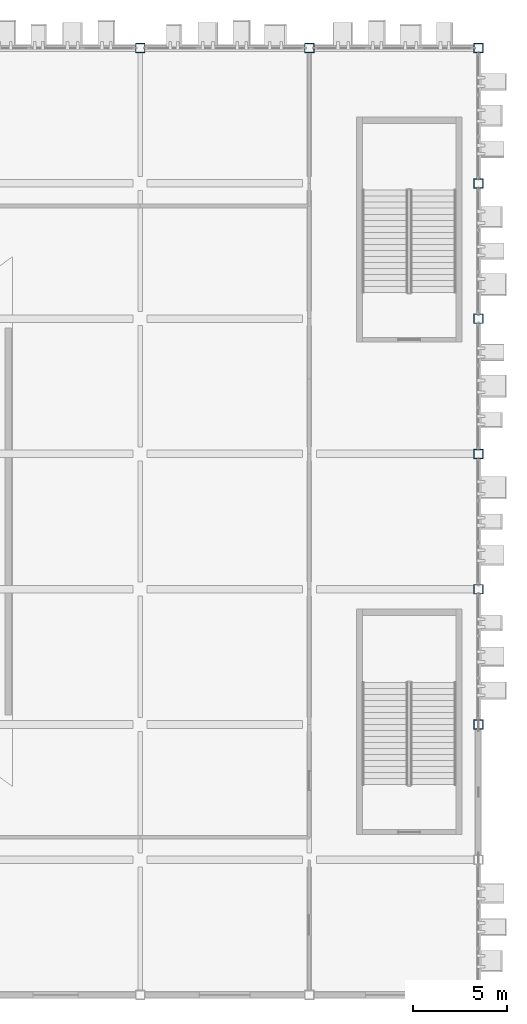
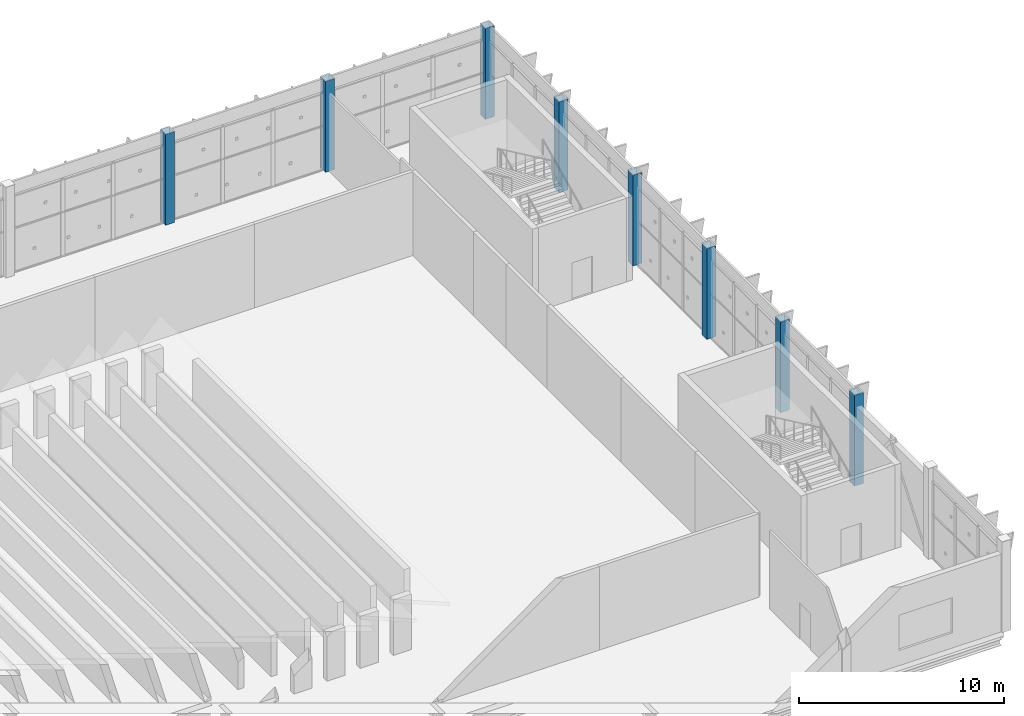
# One storey, part 15 of 189: 8 columns.
"""IFC4 building model written with IfcOpenShell, lengths in metres."""

import ifcopenshell
import ifcopenshell.guid

model = None  # the IFC model being written
_history = None  # IfcOwnerHistory: only IFC2X3 demands one
_inside = {}  # id of a spatial element -> (the spatial element, [elements in it])
_under = {}  # id of a project, library or spatial element -> (it, [spatial elements below it])
_declared = {}  # id of a project -> (the project, [libraries it declares])
_typed = {}  # id of a type object -> (the type object, [elements of that type])
_made_of = {}  # id of a material, layer set ... -> (it, [elements and type objects made of it])


def new_model(schema):
    """Start an empty IFC model of exactly this schema.

    Asked for "IFC4X3", IfcOpenShell would pick the latest addendum, in which some entities
    have other attributes; the version numbers below select the first issue.
    IFC2X3 requires an IfcOwnerHistory on every rooted entity: one is made here for all.
    """
    global model, _history
    if schema == "IFC4X3":
        model = ifcopenshell.file(schema_version=(4, 3, 0, 0))
    else:
        model = ifcopenshell.file(schema=schema)
    _inside.clear()
    _under.clear()
    _declared.clear()
    _typed.clear()
    _made_of.clear()
    _history = None
    if model.schema == "IFC2X3":
        org = make("IfcOrganization", Name="unknown")
        user = make(
            "IfcPersonAndOrganization",
            ThePerson=make("IfcPerson", FamilyName="unknown"),
            TheOrganization=org,
        )
        app = make(
            "IfcApplication",
            ApplicationDeveloper=org,
            Version="unknown",
            ApplicationFullName="unknown",
            ApplicationIdentifier="unknown",
        )
        _history = make(
            "IfcOwnerHistory",
            OwningUser=user,
            OwningApplication=app,
            ChangeAction="ADDED",
            CreationDate=0,
        )
    return model


def make(cls, **values):
    """One entity of the class cls with the attributes given. An attribute that is None is left unset."""
    return model.create_entity(
        cls, **{name: value for name, value in values.items() if value is not None}
    )


def rooted(cls, **values):
    """An entity with a GlobalId (a new one), such as an element, a storey or a relation."""
    return make(cls, GlobalId=ifcopenshell.guid.new(), OwnerHistory=_history, **values)


def si_unit(unit_type, name, prefix=None):
    """IfcSIUnit, for example si_unit("LENGTHUNIT", "METRE", prefix="MILLI")."""
    return make("IfcSIUnit", UnitType=unit_type, Prefix=prefix, Name=name)


def assignment(units):
    """IfcUnitAssignment: the units of a project."""
    return None if units is None else make("IfcUnitAssignment", Units=units)


def point(xyz):
    """IfcCartesianPoint."""
    return None if xyz is None else make("IfcCartesianPoint", Coordinates=xyz)


def direction(xyz):
    """IfcDirection."""
    return None if xyz is None else make("IfcDirection", DirectionRatios=xyz)


def frame(location, z_axis=None, x_axis=None):
    """IfcAxis2Placement3D, a coordinate frame: its origin and axes. An axis left out is left unset."""
    return make(
        "IfcAxis2Placement3D",
        Location=point(location),
        Axis=direction(z_axis),
        RefDirection=direction(x_axis),
    )


def frame_2d(location, x_axis=None):
    """IfcAxis2Placement2D, a coordinate frame in the plane: its origin and x axis."""
    return make(
        "IfcAxis2Placement2D", Location=point(location), RefDirection=direction(x_axis)
    )


def origin():
    """The frame at (0, 0, 0) with its axes left unset."""
    return frame((0.0, 0.0, 0.0))


def origin_2d():
    """The frame at (0, 0) in the plane with its x axis left unset."""
    return frame_2d((0.0, 0.0))


def place(relative_to, where):
    """IfcLocalPlacement: puts the frame where relative to a parent placement (None: the world)."""
    return make(
        "IfcLocalPlacement", PlacementRelTo=relative_to, RelativePlacement=where
    )


def context(
    kind, dimensions, precision=None, world=None, true_north=None, identifier=None
):
    """IfcGeometricRepresentationContext, for example the 3D "Model" context."""
    return make(
        "IfcGeometricRepresentationContext",
        ContextIdentifier=identifier,
        ContextType=kind,
        CoordinateSpaceDimension=dimensions,
        Precision=precision,
        WorldCoordinateSystem=world,
        TrueNorth=true_north,
    )


def subcontext(parent, identifier, kind, view, scale=None):
    """IfcGeometricRepresentationSubContext, for example "Body" below "Model"."""
    return make(
        "IfcGeometricRepresentationSubContext",
        ContextIdentifier=identifier,
        ContextType=kind,
        ParentContext=parent,
        TargetScale=scale,
        TargetView=view,
    )


def project(units=None, contexts=None):
    """IfcProject with its units and contexts."""
    return rooted(
        "IfcProject",
        Name="project",
        RepresentationContexts=contexts,
        UnitsInContext=assignment(units),
    )


def spatial(cls, under=None, at=None, **own):
    """A site, building, storey or space (cls), placed at a placement, below another one or the project."""
    s = rooted(cls, ObjectPlacement=at, **own)
    if under is not None:
        _under.setdefault(under.id(), (under, []))[1].append(s)
    return s


def profile(cls, at=None, kind="AREA", **sizes):
    """A parametric profile (cls). Its sizes go by their IFC names, for example OverallWidth=200.0."""
    return make(cls, ProfileType=kind, Position=at, **sizes)


def hollow_rectangle(**sizes):
    """IfcRectangleHollowProfileDef."""
    return profile("IfcRectangleHollowProfileDef", **sizes)


def extrude(swept, where, along, depth):
    """IfcExtrudedAreaSolid: the profile swept, set in the frame where, extruded along a direction by depth."""
    return make(
        "IfcExtrudedAreaSolid",
        SweptArea=swept,
        Position=where,
        ExtrudedDirection=direction(along),
        Depth=depth,
    )


def shape(context_of_items, identifier, shape_type, items):
    """IfcShapeRepresentation: the items that make up one representation, for example the "Body"."""
    return make(
        "IfcShapeRepresentation",
        ContextOfItems=context_of_items,
        RepresentationIdentifier=identifier,
        RepresentationType=shape_type,
        Items=items,
    )


def material(Name=None, Category=None):
    """IfcMaterial."""
    return make("IfcMaterial", Name=Name, Category=Category)


def material_profile(
    of_material, cross_section, Name=None, Category=None, Priority=None
):
    """IfcMaterialProfile: a cross section and its material."""
    return make(
        "IfcMaterialProfile",
        Name=Name,
        Material=of_material,
        Profile=cross_section,
        Priority=Priority,
        Category=Category,
    )


def profile_set(profiles, Name=None, composite=None):
    """IfcMaterialProfileSet."""
    return make(
        "IfcMaterialProfileSet",
        Name=Name,
        MaterialProfiles=profiles,
        CompositeProfile=composite,
    )


def made_of(thing, what):
    """Note that an element or type object is made of a material, layer set ...; save() writes the relation."""
    if what is not None:
        _made_of.setdefault(what.id(), (what, []))[1].append(thing)
    return thing


def type_object(cls, material=None, **own):
    """A type object (cls), such as IfcWallType, which elements share."""
    return made_of(rooted(cls, **own), material)


def element(
    cls,
    number,
    at=None,
    inside=None,
    cuts=None,
    type_object=None,
    material=None,
    context=None,
    identifier="Body",
    shape_type=None,
    held_by="IfcProductDefinitionShape",
    body=None,
    shapes=None,
    **own,
):
    """One element of the class cls, such as IfcWall. Its Tag is "e" and its number.

    at: its placement. inside: the storey or other place that contains it. cuts: it is an
    opening in that element (IfcRelVoidsElement). A single representation is given by context,
    identifier, shape_type and body (its items); several are given by shapes. held_by: the class
    of the entity that holds the representations. save() writes the other relations.
    """
    e = rooted(cls, Tag="e%d" % number, ObjectPlacement=at, **own)
    if body is not None:
        shapes = [shape(context, identifier, shape_type, body)]
    if shapes is not None:
        e.Representation = make(held_by, Representations=shapes)
    if inside is not None:
        _inside.setdefault(inside.id(), (inside, []))[1].append(e)
    if cuts is not None:
        rooted(
            "IfcRelVoidsElement", RelatingBuildingElement=cuts, RelatedOpeningElement=e
        )
    if type_object is not None:
        _typed.setdefault(type_object.id(), (type_object, []))[1].append(e)
    return made_of(e, material)


def aggregate(whole, parts):
    """IfcRelAggregates: a whole, such as a stair, and the parts it consists of."""
    return rooted("IfcRelAggregates", RelatingObject=whole, RelatedObjects=parts)


def save(model, path):
    """Write the relations noted so far, then the file.

    IfcRelAggregates (storeys below a building ...), IfcRelContainedInSpatialStructure (elements
    in a storey), IfcRelDefinesByType, IfcRelAssociatesMaterial and IfcRelDeclares: one each for
    every whole, place, type object, material and project.
    """
    for whole, parts in _under.values():
        aggregate(whole, parts)
    for where, things in _inside.values():
        rooted(
            "IfcRelContainedInSpatialStructure",
            RelatedElements=things,
            RelatingStructure=where,
        )
    for kind, things in _typed.values():
        rooted("IfcRelDefinesByType", RelatedObjects=things, RelatingType=kind)
    for what, things in _made_of.values():
        rooted("IfcRelAssociatesMaterial", RelatedObjects=things, RelatingMaterial=what)
    for by, libraries in _declared.values():
        rooted("IfcRelDeclares", RelatingContext=by, RelatedDefinitions=libraries)
    model.write(path)


model = new_model("IFC4")

# Units and contexts
model_context = context("Model", 3, precision=1e-05, world=origin(), true_north=direction((0.0, 1.0)))
body_context = subcontext(model_context, "Body", "Model", "MODEL_VIEW")
ifc_project = project(units=[si_unit("LENGTHUNIT", "METRE"), si_unit("AREAUNIT", "SQUARE_METRE"), si_unit("VOLUMEUNIT", "CUBIC_METRE"), si_unit("PLANEANGLEUNIT", "RADIAN"), si_unit("MASSUNIT", "GRAM", prefix="KILO")], contexts=[model_context])

# Site, building, storey
site_placement = place(None, origin())
site = spatial("IfcSite", under=ifc_project, at=site_placement, CompositionType="ELEMENT")
building_placement = place(site_placement, origin())
building = spatial("IfcBuilding", under=site, at=building_placement, Name="Celestram Park Convention Centre", CompositionType="ELEMENT")
storey_placement = place(building_placement, frame((0.0, 0.0, 5.39990234375)))
storey = spatial("IfcBuildingStorey", under=building, at=storey_placement, Name="L01", CompositionType="ELEMENT", Elevation=5.39990234375)

# Columns
ifc_material = material(Name="Steel ASTM A500 Grade C", Category="steel")
ifc_material_profile = material_profile(ifc_material, hollow_rectangle(XDim=0.5, YDim=0.5, WallThickness=0.02001953125, at=origin_2d()), Name="HSS500X500X20")
ifc_profile_set = profile_set([ifc_material_profile], Name="Steel ASTM A500 Grade C")
column_type = type_object("IfcColumnType", Name="STR-COL-HSS500", PredefinedType="COLUMN", material=ifc_profile_set)
for number, where, z_axis, x_axis, name in (
    (1, (198.0, 165.60009765625, 0.0), (0.0, 0.0, 1.0), (1.0, 0.0, 0.0), "Column CN-L01-256"),
    (2, (207.0, 165.60009765625, 0.0), (0.0, 0.0, 1.0), (1.0, 0.0, 0.0), "Column CN-L01-264"),
    (3, (216.0, 129.60009765625, 0.0), (0.0, 0.0, 1.0), (1.0, 0.0, 0.0), "Column CN-L01-273"),
    (4, (216.0, 136.800048828125, 0.0), (0.0, 0.0, 1.0), (1.0, 0.0, 0.0), "Column CN-L01-274"),
    (5, (216.0, 144.0, 0.0), (0.0, 0.0, 1.0), (1.0, 0.0, 0.0), "Column CN-L01-275"),
    (6, (216.0, 151.199951171875, 0.0), (0.0, 0.0, 1.0), (1.0, 0.0, 0.0), "Column CN-L01-276"),
    (7, (216.0, 158.39990234375, 0.0), (0.0, 0.0, 1.0), (1.0, 0.0, 0.0), "Column CN-L01-277"),
    (8, (216.0, 165.60009765625, 0.0), (0.0, 0.0, 1.0), (1.0, 0.0, 0.0), "Column CN-L01-278"),
):
    element("IfcColumn", number, at=place(storey_placement, frame(where, z_axis=z_axis, x_axis=x_axis)), inside=storey, type_object=column_type, Name=name, PredefinedType="COLUMN", context=body_context, shape_type="SweptSolid", body=[
        extrude(hollow_rectangle(XDim=0.5, YDim=0.5, WallThickness=0.02001953125, at=origin_2d()), origin(), (0.0, 0.0, 1.0), 5.400146484375),
    ])

save(model, "model.ifc")
